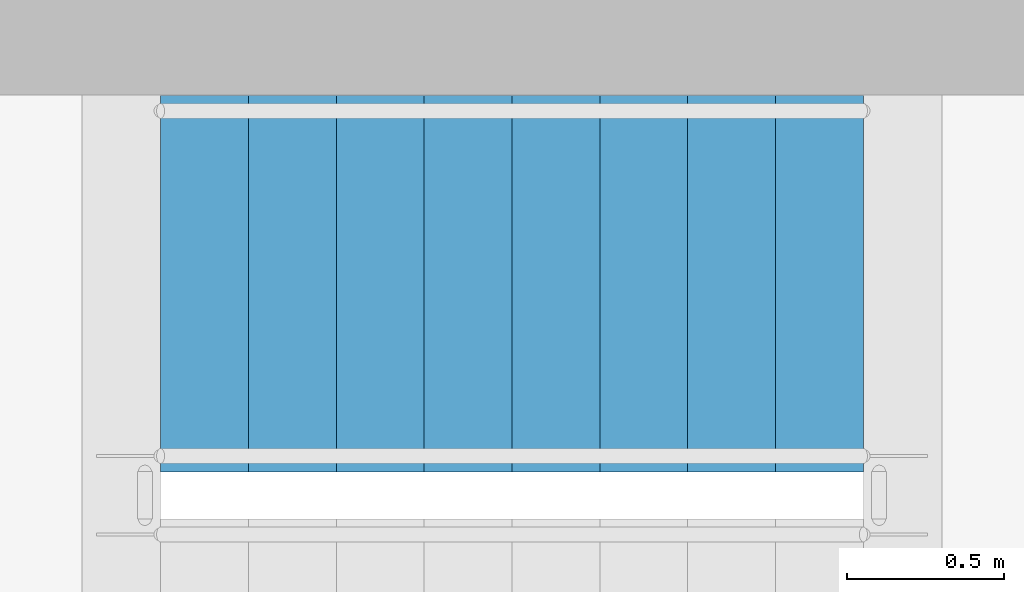
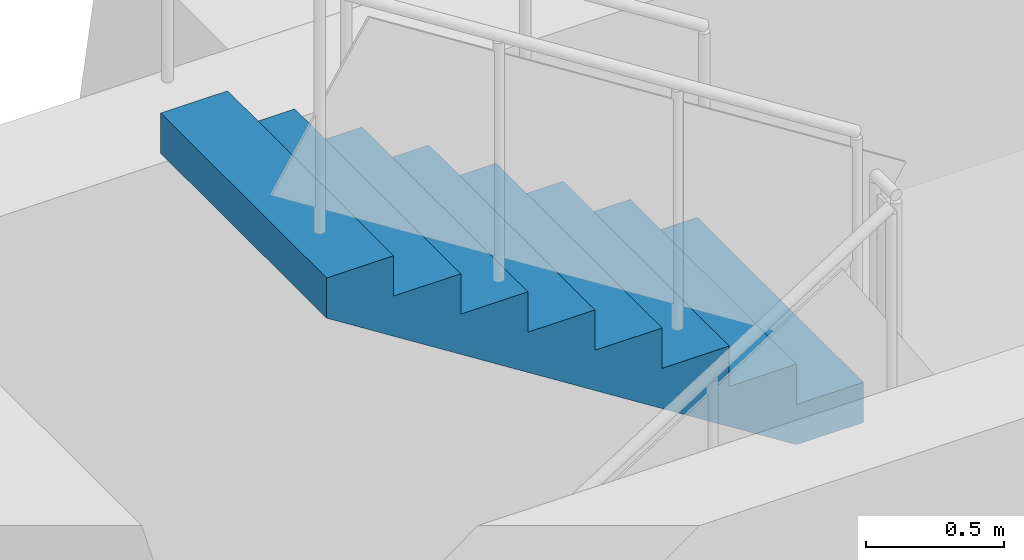
# One storey, part 14 of 18: 1 stair flight, 1 element without a shape of its own.
"""IFC4 building model written with IfcOpenShell, lengths in metres."""

from ifc_helpers import new_model, si_unit, direction, frame, origin, place, context, subcontext, project, spatial, polyline, outline, extrude, material, type_object, element, aggregate, save


model = new_model("IFC4")

# Units and contexts
model_context = context("Model", 3, precision=1e-05, world=origin(), true_north=direction((0.0, 1.0)))
body_context = subcontext(model_context, "Body", "Model", "MODEL_VIEW")
ifc_project = project(units=[si_unit("LENGTHUNIT", "METRE"), si_unit("AREAUNIT", "SQUARE_METRE"), si_unit("VOLUMEUNIT", "CUBIC_METRE"), si_unit("PLANEANGLEUNIT", "RADIAN"), si_unit("MASSUNIT", "GRAM", prefix="KILO")], contexts=[model_context])

# Site, building, storey
site_placement = place(None, origin())
site = spatial("IfcSite", under=ifc_project, at=site_placement, CompositionType="ELEMENT")
building_placement = place(site_placement, origin())
building = spatial("IfcBuilding", under=site, at=building_placement, Name="Vidyagriha Tower", CompositionType="ELEMENT")
storey_placement = place(building_placement, frame((0.0, 0.0, 103.10009765625)))
storey = spatial("IfcBuildingStorey", under=building, at=storey_placement, Name="L27", CompositionType="ELEMENT", Elevation=103.10009765625)

# Stair, stair flight
ifc_material_1 = material(Name="Concrete C40/50", Category="concrete")
stair_type = type_object("IfcStairType", Name="Exit stair, half-turn, precast flights", PredefinedType="HALF_TURN_STAIR", material=ifc_material_1)
stair_placement = place(storey_placement, origin())
stair = element("IfcStair", 1, at=stair_placement, inside=storey, type_object=stair_type, Name="L27 Exit Stair ST3", PredefinedType="HALF_TURN_STAIR")
ifc_material_2 = material(Name="Precast concrete C40/50", Category="concrete")
stair_flight_type = type_object("IfcStairFlightType", Name="Exit stair flight 1200 mm, precast", PredefinedType="STRAIGHT", material=ifc_material_2)
stair_flight_placement = place(storey_placement, frame((6.239990234375, 18.89990234375, 1.599853515625), z_axis=(0.0, 0.0, 1.0), x_axis=(-1.0, 0.0, 0.0)))
stair_flight = element("IfcStairFlight", 2, at=stair_flight_placement, type_object=stair_flight_type, Name="ST3 flight 2", NumberOfRisers=9, NumberOfTreads=8, PredefinedType="STRAIGHT", RiserHeight=0.177777778, TreadLength=0.28, context=body_context, shape_type="SweptSolid", body=[
    extrude(outline(polyline([(0.0, 0.0), (0.0, 0.177734375), (0.280029296875, 0.177734375), (0.280029296875, 0.35546875), (0.56005859375, 0.35546875), (0.56005859375, 0.533447265625), (0.840087890625, 0.533447265625), (0.840087890625, 0.711181640625), (1.1201171875, 0.711181640625), (1.1201171875, 0.888916015625), (1.39990234375, 0.888916015625), (1.39990234375, 1.066650390625), (1.679931640625, 1.066650390625), (1.679931640625, 1.244384765625), (1.9599609375, 1.244384765625), (1.9599609375, 1.422119140625), (2.239990234375, 1.422119140625), (2.239990234375, 1.60009765625), (2.239990234375, 1.24462890625), (0.27978515625, 0.0), (0.0, 0.0)])), frame((0.0, 0.60009765625, 0.0), z_axis=(0.0, -1.0, 0.0), x_axis=(1.0, 0.0, 0.0)), (0.0, 0.0, 1.0), 1.199951171875),
])
aggregate(stair, [stair_flight])

save(model, "model.ifc")
